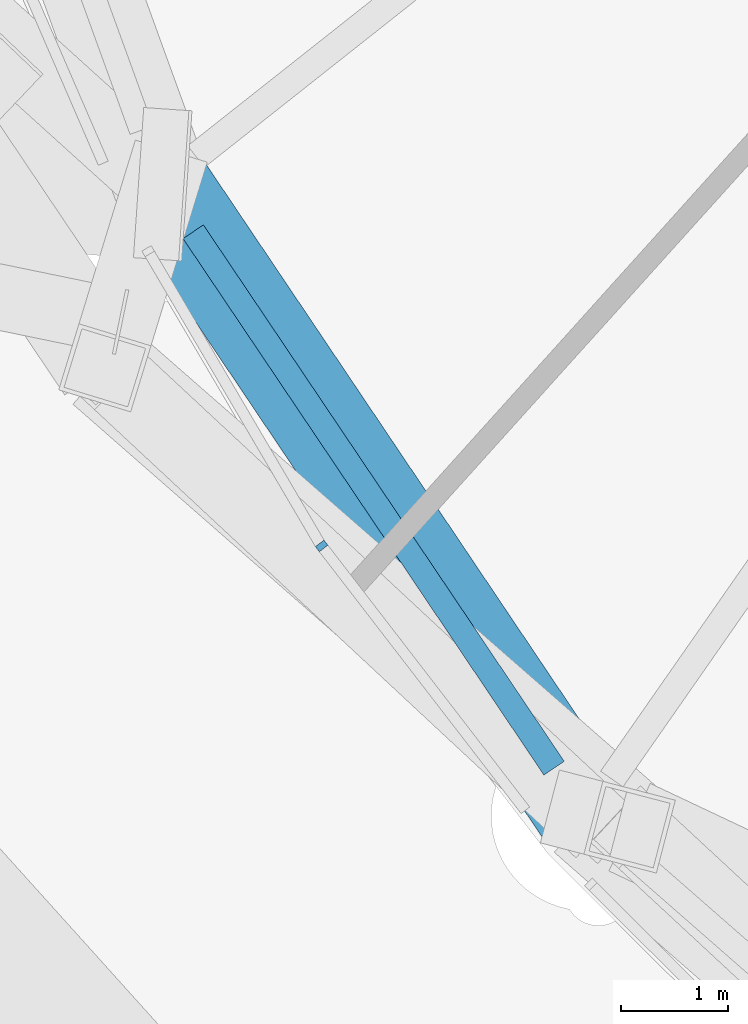
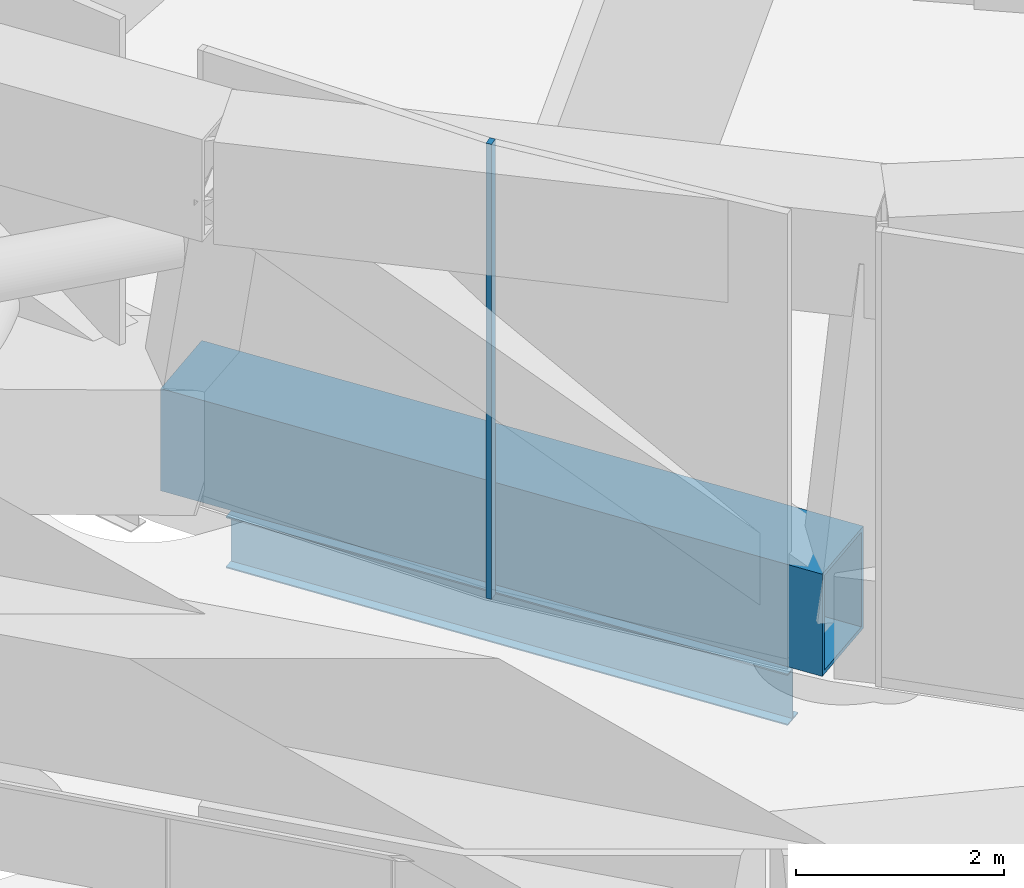
# One storey, part 3 of 60: 2 beams, 1 member, 1 element without a shape of its own.
"""IFC4 building model written with IfcOpenShell, lengths in metres."""

from ifc_helpers import new_model, si_unit, direction, frame, origin, origin_2d, place, context, subcontext, project, spatial, rectangle, hollow_rectangle, i_section, extrude, material, layer, layer_set, material_profile, profile_set, type_object, element, aggregate, save


model = new_model("IFC4")

# Units and contexts
model_context = context("Model", 3, precision=1e-05, world=origin(), true_north=direction((0.0, 1.0)))
body_context = subcontext(model_context, "Body", "Model", "MODEL_VIEW")
ifc_project = project(units=[si_unit("LENGTHUNIT", "METRE"), si_unit("AREAUNIT", "SQUARE_METRE"), si_unit("VOLUMEUNIT", "CUBIC_METRE"), si_unit("PLANEANGLEUNIT", "RADIAN"), si_unit("MASSUNIT", "GRAM", prefix="KILO")], contexts=[model_context])

# Site, building, storey
site_placement = place(None, origin())
site = spatial("IfcSite", under=ifc_project, at=site_placement, CompositionType="ELEMENT")
building_placement = place(site_placement, origin())
building = spatial("IfcBuilding", under=site, at=building_placement, Name="Nagisa Residences", CompositionType="ELEMENT")
storey_placement = place(building_placement, frame((0.0, 0.0, 206.60009765625)))
storey = spatial("IfcBuildingStorey", under=building, at=storey_placement, Name="L52", CompositionType="ELEMENT", Elevation=206.60009765625)

# Beam
ifc_material_1 = material(Name="Steel ASTM A572 Gr 50", Category="steel")
ifc_material_profile_1 = material_profile(ifc_material_1, hollow_rectangle(XDim=0.89990234375, YDim=1.199951171875, WallThickness=0.044921875, at=origin_2d()), Name="BX 900x1200x45")
ifc_profile_set_1 = profile_set([ifc_material_profile_1], Name="Steel ASTM A572 Gr 50")
beam_type_1 = type_object("IfcBeamType", Name="Belt chord 4 BX 900x1200x45", PredefinedType="BEAM", material=ifc_profile_set_1)
beam_1_placement = place(storey_placement, frame((-17.9423828125, -14.1875, 0.599853515625), z_axis=(0.558147783438, -0.829741557259, 0.0), x_axis=(0.829741557259, 0.558147783438, 0.0)))
element("IfcBeam", 1, at=beam_1_placement, inside=storey, type_object=beam_type_1, Name="beam:L52:bt4b15", PredefinedType="BEAM", context=body_context, shape_type="SweptSolid", body=[
    extrude(hollow_rectangle(XDim=0.89990234375, YDim=1.199951171875, WallThickness=0.044921875, at=origin_2d()), origin(), (0.0, 0.0, 1.0), 7.08251953125),
])

# Curtain wall, member
ifc_material_2 = material(Name="Aluminium curtain wall system", Category="aluminium")
ifc_layer = layer(ifc_material_2, 0.159912109375)
ifc_layer_set = layer_set([ifc_layer], Name="CW5 CURTAIN WALL")
curtain_wall_type = type_object("IfcCurtainWallType", Name="CW5 CURTAIN WALL", PredefinedType="NOTDEFINED", material=ifc_layer_set)
curtain_wall_placement = place(storey_placement, origin())
curtain_wall = element("IfcCurtainWall", 2, at=curtain_wall_placement, inside=storey, type_object=curtain_wall_type, Name="cw:CW5:L52:29", PredefinedType="NOTDEFINED")
ifc_material_3 = material(Name="Aluminium", Category="aluminium")
ifc_material_profile_2 = material_profile(ifc_material_3, rectangle(XDim=0.10009765625, YDim=0.06005859375, at=origin_2d()), Name="CW5 MULLION 100x60")
ifc_profile_set_2 = profile_set([ifc_material_profile_2], Name="Aluminium")
member_type = type_object("IfcMemberType", Name="CW5 MULLION 100x60", PredefinedType="MULLION", material=ifc_profile_set_2)
member_placement = place(storey_placement, frame((-16.44970703125, -17.552978515625, 0.0), z_axis=(0.0, 0.0, 1.0), x_axis=(0.792070340816, 0.610429828235, 0.0)))
member = element("IfcMember", 3, at=member_placement, type_object=member_type, Name="CW5 mullion", PredefinedType="MULLION", context=body_context, shape_type="SweptSolid", body=[
    extrude(rectangle(XDim=0.10009765625, YDim=0.06005859375, at=origin_2d()), origin(), (0.0, 0.0, 1.0), 5.33984375),
])
aggregate(curtain_wall, [member])

# Beam
ifc_material_4 = material(Name="Steel ASTM A572 Gr 50", Category="steel")
ifc_material_profile_3 = material_profile(ifc_material_4, i_section(OverallWidth=0.22802734375, OverallDepth=0.60302734375, WebThickness=0.010498046875, FlangeThickness=0.014892578125, at=origin_2d()), Name="W610x101")
ifc_profile_set_3 = profile_set([ifc_material_profile_3], Name="Steel ASTM A572 Gr 50")
beam_type_2 = type_object("IfcBeamType", Name="Perimeter ring beam W610x101", PredefinedType="BEAM", material=ifc_profile_set_3)
beam_2_placement = place(storey_placement, frame((-17.644287109375, -14.630615234375, -0.651611328125), z_axis=(0.558152301307, -0.829738518177, 0.0), x_axis=(0.829738518177, 0.558152301307, 0.0)))
element("IfcBeam", 4, at=beam_2_placement, inside=storey, type_object=beam_type_2, Name="beam:L52:pb15", PredefinedType="BEAM", context=body_context, shape_type="SweptSolid", body=[
    extrude(i_section(OverallWidth=0.22802734375, OverallDepth=0.60302734375, WebThickness=0.010498046875, FlangeThickness=0.014892578125, at=origin_2d()), origin(), (0.0, 0.0, 1.0), 6.013916015625),
])

save(model, "model.ifc")
